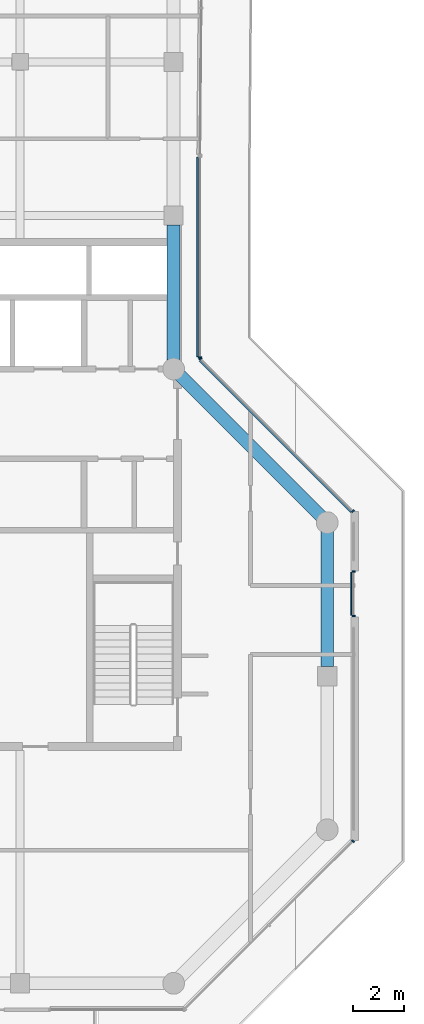
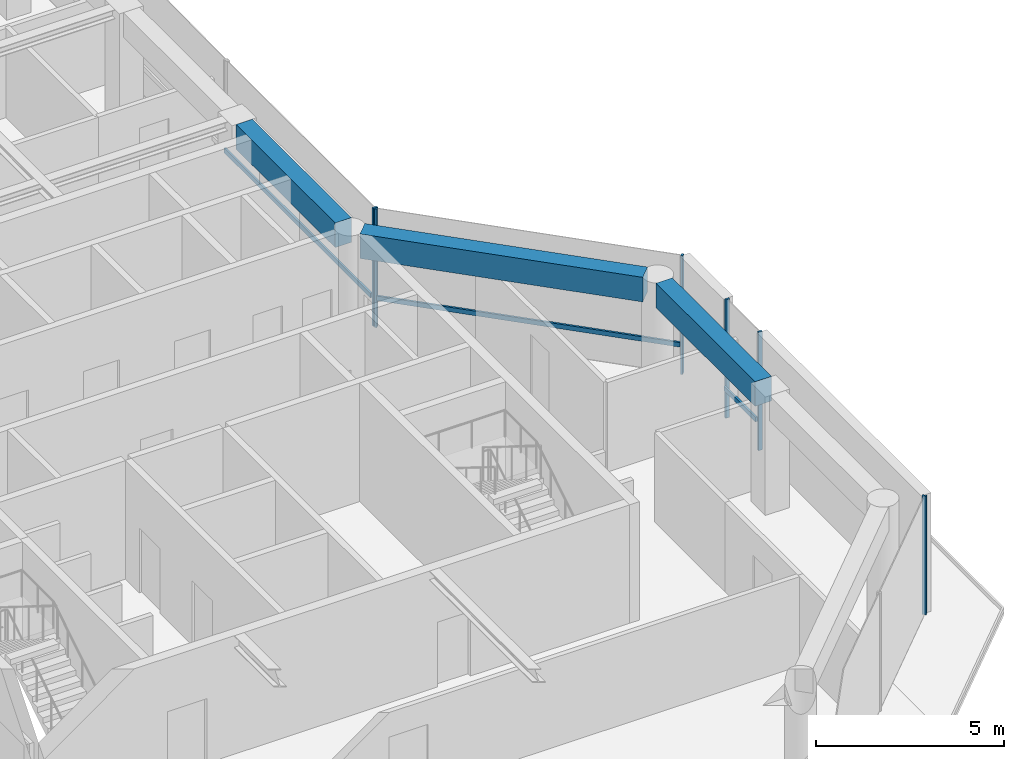
# One storey, part 5 of 18: 9 members, 3 beams, 4 elements without a shape of their own.
"""IFC4 building model written with IfcOpenShell, lengths in metres."""

import ifcopenshell
import ifcopenshell.guid

model = None  # the IFC model being written
_history = None  # IfcOwnerHistory: only IFC2X3 demands one
_inside = {}  # id of a spatial element -> (the spatial element, [elements in it])
_under = {}  # id of a project, library or spatial element -> (it, [spatial elements below it])
_declared = {}  # id of a project -> (the project, [libraries it declares])
_typed = {}  # id of a type object -> (the type object, [elements of that type])
_made_of = {}  # id of a material, layer set ... -> (it, [elements and type objects made of it])


def new_model(schema):
    """Start an empty IFC model of exactly this schema.

    Asked for "IFC4X3", IfcOpenShell would pick the latest addendum, in which some entities
    have other attributes; the version numbers below select the first issue.
    IFC2X3 requires an IfcOwnerHistory on every rooted entity: one is made here for all.
    """
    global model, _history
    if schema == "IFC4X3":
        model = ifcopenshell.file(schema_version=(4, 3, 0, 0))
    else:
        model = ifcopenshell.file(schema=schema)
    _inside.clear()
    _under.clear()
    _declared.clear()
    _typed.clear()
    _made_of.clear()
    _history = None
    if model.schema == "IFC2X3":
        org = make("IfcOrganization", Name="unknown")
        user = make(
            "IfcPersonAndOrganization",
            ThePerson=make("IfcPerson", FamilyName="unknown"),
            TheOrganization=org,
        )
        app = make(
            "IfcApplication",
            ApplicationDeveloper=org,
            Version="unknown",
            ApplicationFullName="unknown",
            ApplicationIdentifier="unknown",
        )
        _history = make(
            "IfcOwnerHistory",
            OwningUser=user,
            OwningApplication=app,
            ChangeAction="ADDED",
            CreationDate=0,
        )
    return model


def make(cls, **values):
    """One entity of the class cls with the attributes given. An attribute that is None is left unset."""
    return model.create_entity(
        cls, **{name: value for name, value in values.items() if value is not None}
    )


def rooted(cls, **values):
    """An entity with a GlobalId (a new one), such as an element, a storey or a relation."""
    return make(cls, GlobalId=ifcopenshell.guid.new(), OwnerHistory=_history, **values)


def si_unit(unit_type, name, prefix=None):
    """IfcSIUnit, for example si_unit("LENGTHUNIT", "METRE", prefix="MILLI")."""
    return make("IfcSIUnit", UnitType=unit_type, Prefix=prefix, Name=name)


def assignment(units):
    """IfcUnitAssignment: the units of a project."""
    return None if units is None else make("IfcUnitAssignment", Units=units)


def point(xyz):
    """IfcCartesianPoint."""
    return None if xyz is None else make("IfcCartesianPoint", Coordinates=xyz)


def direction(xyz):
    """IfcDirection."""
    return None if xyz is None else make("IfcDirection", DirectionRatios=xyz)


def frame(location, z_axis=None, x_axis=None):
    """IfcAxis2Placement3D, a coordinate frame: its origin and axes. An axis left out is left unset."""
    return make(
        "IfcAxis2Placement3D",
        Location=point(location),
        Axis=direction(z_axis),
        RefDirection=direction(x_axis),
    )


def frame_2d(location, x_axis=None):
    """IfcAxis2Placement2D, a coordinate frame in the plane: its origin and x axis."""
    return make(
        "IfcAxis2Placement2D", Location=point(location), RefDirection=direction(x_axis)
    )


def origin():
    """The frame at (0, 0, 0) with its axes left unset."""
    return frame((0.0, 0.0, 0.0))


def origin_2d():
    """The frame at (0, 0) in the plane with its x axis left unset."""
    return frame_2d((0.0, 0.0))


def place(relative_to, where):
    """IfcLocalPlacement: puts the frame where relative to a parent placement (None: the world)."""
    return make(
        "IfcLocalPlacement", PlacementRelTo=relative_to, RelativePlacement=where
    )


def context(
    kind, dimensions, precision=None, world=None, true_north=None, identifier=None
):
    """IfcGeometricRepresentationContext, for example the 3D "Model" context."""
    return make(
        "IfcGeometricRepresentationContext",
        ContextIdentifier=identifier,
        ContextType=kind,
        CoordinateSpaceDimension=dimensions,
        Precision=precision,
        WorldCoordinateSystem=world,
        TrueNorth=true_north,
    )


def subcontext(parent, identifier, kind, view, scale=None):
    """IfcGeometricRepresentationSubContext, for example "Body" below "Model"."""
    return make(
        "IfcGeometricRepresentationSubContext",
        ContextIdentifier=identifier,
        ContextType=kind,
        ParentContext=parent,
        TargetScale=scale,
        TargetView=view,
    )


def project(units=None, contexts=None):
    """IfcProject with its units and contexts."""
    return rooted(
        "IfcProject",
        Name="project",
        RepresentationContexts=contexts,
        UnitsInContext=assignment(units),
    )


def spatial(cls, under=None, at=None, **own):
    """A site, building, storey or space (cls), placed at a placement, below another one or the project."""
    s = rooted(cls, ObjectPlacement=at, **own)
    if under is not None:
        _under.setdefault(under.id(), (under, []))[1].append(s)
    return s


def profile(cls, at=None, kind="AREA", **sizes):
    """A parametric profile (cls). Its sizes go by their IFC names, for example OverallWidth=200.0."""
    return make(cls, ProfileType=kind, Position=at, **sizes)


def rectangle(**sizes):
    """IfcRectangleProfileDef."""
    return profile("IfcRectangleProfileDef", **sizes)


def extrude(swept, where, along, depth):
    """IfcExtrudedAreaSolid: the profile swept, set in the frame where, extruded along a direction by depth."""
    return make(
        "IfcExtrudedAreaSolid",
        SweptArea=swept,
        Position=where,
        ExtrudedDirection=direction(along),
        Depth=depth,
    )


def shape(context_of_items, identifier, shape_type, items):
    """IfcShapeRepresentation: the items that make up one representation, for example the "Body"."""
    return make(
        "IfcShapeRepresentation",
        ContextOfItems=context_of_items,
        RepresentationIdentifier=identifier,
        RepresentationType=shape_type,
        Items=items,
    )


def material(Name=None, Category=None):
    """IfcMaterial."""
    return make("IfcMaterial", Name=Name, Category=Category)


def layer(
    of_material, thickness, ventilated=None, Name=None, Category=None, Priority=None
):
    """IfcMaterialLayer: one layer of a wall or slab, of a material (None: an air gap)."""
    return make(
        "IfcMaterialLayer",
        Material=of_material,
        LayerThickness=thickness,
        IsVentilated=ventilated,
        Name=Name,
        Category=Category,
        Priority=Priority,
    )


def layer_set(layers, Name=None):
    """IfcMaterialLayerSet."""
    return make("IfcMaterialLayerSet", MaterialLayers=layers, LayerSetName=Name)


def material_profile(
    of_material, cross_section, Name=None, Category=None, Priority=None
):
    """IfcMaterialProfile: a cross section and its material."""
    return make(
        "IfcMaterialProfile",
        Name=Name,
        Material=of_material,
        Profile=cross_section,
        Priority=Priority,
        Category=Category,
    )


def profile_set(profiles, Name=None, composite=None):
    """IfcMaterialProfileSet."""
    return make(
        "IfcMaterialProfileSet",
        Name=Name,
        MaterialProfiles=profiles,
        CompositeProfile=composite,
    )


def made_of(thing, what):
    """Note that an element or type object is made of a material, layer set ...; save() writes the relation."""
    if what is not None:
        _made_of.setdefault(what.id(), (what, []))[1].append(thing)
    return thing


def type_object(cls, material=None, **own):
    """A type object (cls), such as IfcWallType, which elements share."""
    return made_of(rooted(cls, **own), material)


def element(
    cls,
    number,
    at=None,
    inside=None,
    cuts=None,
    type_object=None,
    material=None,
    context=None,
    identifier="Body",
    shape_type=None,
    held_by="IfcProductDefinitionShape",
    body=None,
    shapes=None,
    **own,
):
    """One element of the class cls, such as IfcWall. Its Tag is "e" and its number.

    at: its placement. inside: the storey or other place that contains it. cuts: it is an
    opening in that element (IfcRelVoidsElement). A single representation is given by context,
    identifier, shape_type and body (its items); several are given by shapes. held_by: the class
    of the entity that holds the representations. save() writes the other relations.
    """
    e = rooted(cls, Tag="e%d" % number, ObjectPlacement=at, **own)
    if body is not None:
        shapes = [shape(context, identifier, shape_type, body)]
    if shapes is not None:
        e.Representation = make(held_by, Representations=shapes)
    if inside is not None:
        _inside.setdefault(inside.id(), (inside, []))[1].append(e)
    if cuts is not None:
        rooted(
            "IfcRelVoidsElement", RelatingBuildingElement=cuts, RelatedOpeningElement=e
        )
    if type_object is not None:
        _typed.setdefault(type_object.id(), (type_object, []))[1].append(e)
    return made_of(e, material)


def aggregate(whole, parts):
    """IfcRelAggregates: a whole, such as a stair, and the parts it consists of."""
    return rooted("IfcRelAggregates", RelatingObject=whole, RelatedObjects=parts)


def save(model, path):
    """Write the relations noted so far, then the file.

    IfcRelAggregates (storeys below a building ...), IfcRelContainedInSpatialStructure (elements
    in a storey), IfcRelDefinesByType, IfcRelAssociatesMaterial and IfcRelDeclares: one each for
    every whole, place, type object, material and project.
    """
    for whole, parts in _under.values():
        aggregate(whole, parts)
    for where, things in _inside.values():
        rooted(
            "IfcRelContainedInSpatialStructure",
            RelatedElements=things,
            RelatingStructure=where,
        )
    for kind, things in _typed.values():
        rooted("IfcRelDefinesByType", RelatedObjects=things, RelatingType=kind)
    for what, things in _made_of.values():
        rooted("IfcRelAssociatesMaterial", RelatedObjects=things, RelatingMaterial=what)
    for by, libraries in _declared.values():
        rooted("IfcRelDeclares", RelatingContext=by, RelatedDefinitions=libraries)
    model.write(path)


model = new_model("IFC4")

# Units and contexts
model_context = context("Model", 3, precision=1e-05, world=origin(), true_north=direction((0.0, 1.0)))
body_context = subcontext(model_context, "Body", "Model", "MODEL_VIEW")
ifc_project = project(units=[si_unit("LENGTHUNIT", "METRE"), si_unit("AREAUNIT", "SQUARE_METRE"), si_unit("VOLUMEUNIT", "CUBIC_METRE"), si_unit("PLANEANGLEUNIT", "RADIAN"), si_unit("MASSUNIT", "GRAM", prefix="KILO")], contexts=[model_context])

# Site, building, storey
site_placement = place(None, origin())
site = spatial("IfcSite", under=ifc_project, at=site_placement, CompositionType="ELEMENT")
building_placement = place(site_placement, origin())
building = spatial("IfcBuilding", under=site, at=building_placement, Name="Welwitschia Terrace Campus", CompositionType="ELEMENT")
storey_placement = place(building_placement, frame((0.0, 0.0, 285.199951171875)))
storey = spatial("IfcBuildingStorey", under=building, at=storey_placement, Name="L63", CompositionType="ELEMENT", Elevation=285.199951171875)

# Curtain wall, member
ifc_material_1 = material(Name="Bronze anodised aluminium", Category="aluminium")
ifc_layer = layer(ifc_material_1, 0.1201171875)
ifc_layer_set = layer_set([ifc_layer], Name="Bronze anodised aluminium")
curtain_wall_type = type_object("IfcCurtainWallType", Name="Curtain wall CW2 tower 6000", PredefinedType="NOTDEFINED", material=ifc_layer_set)
curtain_wall_1_placement = place(storey_placement, origin())
curtain_wall_1 = element("IfcCurtainWall", 1, at=curtain_wall_1_placement, inside=storey, type_object=curtain_wall_type, Name="CW L63.6.0", PredefinedType="NOTDEFINED")
ifc_material_2 = material(Name="Bronze anodised aluminium", Category="aluminium")
ifc_material_profile_1 = material_profile(ifc_material_2, rectangle(XDim=0.1201171875, YDim=0.06005859375, at=origin_2d()))
ifc_profile_set_1 = profile_set([ifc_material_profile_1], Name="Bronze anodised aluminium")
member_type_1 = type_object("IfcMemberType", Name="Mullion 60x120", PredefinedType="MULLION", material=ifc_profile_set_1)
member_1_placement = place(storey_placement, frame((31.0087890625, 1.55224609375, 0.0), z_axis=(0.0, 0.0, 1.0), x_axis=(-0.707106781187, 0.707106781187, 0.0)))
member_1 = element("IfcMember", 2, at=member_1_placement, type_object=member_type_1, Name="Mullion L63.6.0.2", PredefinedType="MULLION", context=body_context, shape_type="SweptSolid", body=[
    extrude(rectangle(XDim=0.1201171875, YDim=0.06005859375, at=origin_2d()), origin(), (0.0, 0.0, 1.0), 3.85009765625),
])
aggregate(curtain_wall_1, [member_1])

# Curtain wall, members
curtain_wall_2_placement = place(storey_placement, origin())
curtain_wall_2 = element("IfcCurtainWall", 3, at=curtain_wall_2_placement, inside=storey, type_object=curtain_wall_type, Name="CW L63.7.S0", PredefinedType="NOTDEFINED")
member_2_placement = place(storey_placement, frame((31.030029296875, 10.34326171875, 0.0), z_axis=(0.0, 0.0, 1.0), x_axis=(-1.0, 0.0, 0.0)))
member_2 = element("IfcMember", 4, at=member_2_placement, type_object=member_type_1, Name="Mullion L63.7.S0.0", PredefinedType="MULLION", context=body_context, shape_type="SweptSolid", body=[
    extrude(rectangle(XDim=0.1201171875, YDim=0.06005859375, at=origin_2d()), origin(), (0.0, 0.0, 1.0), 3.85009765625),
])
member_3_placement = place(storey_placement, frame((31.030029296875, 12.083251953125, 0.0), z_axis=(0.0, 0.0, 1.0), x_axis=(-1.0, 0.0, 0.0)))
member_3 = element("IfcMember", 5, at=member_3_placement, type_object=member_type_1, Name="Mullion L63.7.S0.1", PredefinedType="MULLION", context=body_context, shape_type="SweptSolid", body=[
    extrude(rectangle(XDim=0.1201171875, YDim=0.06005859375, at=origin_2d()), origin(), (0.0, 0.0, 1.0), 3.85009765625),
])

curtain_wall_3_placement = place(storey_placement, origin())
curtain_wall_3 = element("IfcCurtainWall", 6, at=curtain_wall_3_placement, inside=storey, type_object=curtain_wall_type, Name="CW L63.8.0", PredefinedType="NOTDEFINED")
member_4_placement = place(storey_placement, frame((31.0087890625, 14.44775390625, 0.0), z_axis=(0.0, 0.0, 1.0), x_axis=(-0.707106781187, -0.707106781187, 0.0)))
member_4 = element("IfcMember", 7, at=member_4_placement, type_object=member_type_1, Name="Mullion L63.8.0.0", PredefinedType="MULLION", context=body_context, shape_type="SweptSolid", body=[
    extrude(rectangle(XDim=0.1201171875, YDim=0.06005859375, at=origin_2d()), origin(), (0.0, 0.0, 1.0), 3.85009765625),
])
member_5_placement = place(storey_placement, frame((25.05126953125, 20.405517578125, 0.0), z_axis=(0.0, 0.0, 1.0), x_axis=(-0.707106781187, -0.707106781187, 0.0)))
member_5 = element("IfcMember", 8, at=member_5_placement, type_object=member_type_1, Name="Mullion L63.8.0.1", PredefinedType="MULLION", context=body_context, shape_type="SweptSolid", body=[
    extrude(rectangle(XDim=0.1201171875, YDim=0.06005859375, at=origin_2d()), origin(), (0.0, 0.0, 1.0), 3.85009765625),
])

# Curtain wall, member
curtain_wall_4_placement = place(storey_placement, origin())
curtain_wall_4 = element("IfcCurtainWall", 9, at=curtain_wall_4_placement, inside=storey, type_object=curtain_wall_type, Name="CW L63.9.0", PredefinedType="NOTDEFINED")
member_6_placement = place(storey_placement, frame((25.030029296875, 20.45654296875, 0.0), z_axis=(0.0, 0.0, 1.0), x_axis=(-1.0, 0.0, 0.0)))
member_6 = element("IfcMember", 10, at=member_6_placement, type_object=member_type_1, Name="Mullion L63.9.0.0", PredefinedType="MULLION", context=body_context, shape_type="SweptSolid", body=[
    extrude(rectangle(XDim=0.1201171875, YDim=0.06005859375, at=origin_2d()), origin(), (0.0, 0.0, 1.0), 3.85009765625),
])

# Beams
ifc_material_3 = material(Name="Concrete C50/60", Category="concrete")
ifc_material_profile_2 = material_profile(ifc_material_3, rectangle(XDim=0.5, YDim=0.800048828125, at=origin_2d()))
ifc_profile_set_2 = profile_set([ifc_material_profile_2], Name="Concrete C50/60")
beam_type = type_object("IfcBeamType", Name="Ring spandrel 500x800", PredefinedType="SPANDREL", material=ifc_profile_set_2)
beam_1_placement = place(storey_placement, frame((30.0, 8.37548828125, 3.449951171875), z_axis=(0.0, 1.0, 0.0), x_axis=(-1.0, 0.0, 0.0)))
element("IfcBeam", 11, at=beam_1_placement, inside=storey, type_object=beam_type, Name="Spandrel SP4", PredefinedType="SPANDREL", context=body_context, shape_type="SweptSolid", body=[
    extrude(rectangle(XDim=0.5, YDim=0.800048828125, at=origin_2d()), origin(), (0.0, 0.0, 1.0), 5.280029296875),
])
beam_2_placement = place(storey_placement, frame((29.75634765625, 14.24365234375, 3.449951171875), z_axis=(-0.707106781187, 0.707106781187, 0.0), x_axis=(-0.707106781187, -0.707106781187, 0.0)))
element("IfcBeam", 12, at=beam_2_placement, inside=storey, type_object=beam_type, Name="Spandrel SP4", PredefinedType="SPANDREL", context=body_context, shape_type="SweptSolid", body=[
    extrude(rectangle(XDim=0.5, YDim=0.800048828125, at=origin_2d()), origin(), (0.0, 0.0, 1.0), 7.796142578125),
])
beam_3_placement = place(storey_placement, frame((24.0, 20.344482421875, 3.449951171875), z_axis=(0.0, 1.0, 0.0), x_axis=(-1.0, 0.0, 0.0)))
element("IfcBeam", 13, at=beam_3_placement, inside=storey, type_object=beam_type, Name="Spandrel SP4", PredefinedType="SPANDREL", context=body_context, shape_type="SweptSolid", body=[
    extrude(rectangle(XDim=0.5, YDim=0.800048828125, at=origin_2d()), origin(), (0.0, 0.0, 1.0), 5.280029296875),
])

# Member
ifc_material_4 = material(Name="Bronze anodised aluminium", Category="aluminium")
ifc_material_profile_3 = material_profile(ifc_material_4, rectangle(XDim=0.06005859375, YDim=0.14990234375, at=origin_2d()))
ifc_profile_set_3 = profile_set([ifc_material_profile_3], Name="Bronze anodised aluminium")
member_type_2 = type_object("IfcMemberType", Name="Transom 60x150", PredefinedType="USERDEFINED", material=ifc_profile_set_3)
member_7_placement = place(storey_placement, frame((30.93994140625, 10.373291015625, 1.0), z_axis=(0.0, 1.0, 0.0), x_axis=(-1.0, 0.0, 0.0)))
member_7 = element("IfcMember", 14, at=member_7_placement, type_object=member_type_2, Name="Transom L63.7.S0", ObjectType="TRANSOM", PredefinedType="USERDEFINED", context=body_context, shape_type="SweptSolid", body=[
    extrude(rectangle(XDim=0.06005859375, YDim=0.14990234375, at=origin_2d()), origin(), (0.0, 0.0, 1.0), 1.679931640625),
])

aggregate(curtain_wall_2, [member_2, member_3, member_7])

member_8_placement = place(storey_placement, frame((30.923828125, 14.405517578125, 1.0), z_axis=(-0.707106781187, 0.707106781187, 0.0), x_axis=(-0.707106781187, -0.707106781187, 0.0)))
member_8 = element("IfcMember", 15, at=member_8_placement, type_object=member_type_2, Name="Transom L63.8.0", ObjectType="TRANSOM", PredefinedType="USERDEFINED", context=body_context, shape_type="SweptSolid", body=[
    extrude(rectangle(XDim=0.06005859375, YDim=0.14990234375, at=origin_2d()), origin(), (0.0, 0.0, 1.0), 8.365234375),
])

aggregate(curtain_wall_3, [member_4, member_5, member_8])

member_9_placement = place(storey_placement, frame((24.93994140625, 20.486572265625, 1.0), z_axis=(0.0, 1.0, 0.0), x_axis=(-1.0, 0.0, 0.0)))
member_9 = element("IfcMember", 16, at=member_9_placement, type_object=member_type_2, Name="Transom L63.9.0", ObjectType="TRANSOM", PredefinedType="USERDEFINED", context=body_context, shape_type="SweptSolid", body=[
    extrude(rectangle(XDim=0.06005859375, YDim=0.14990234375, at=origin_2d()), origin(), (0.0, 0.0, 1.0), 7.793212890625),
])

aggregate(curtain_wall_4, [member_6, member_9])

save(model, "model.ifc")
